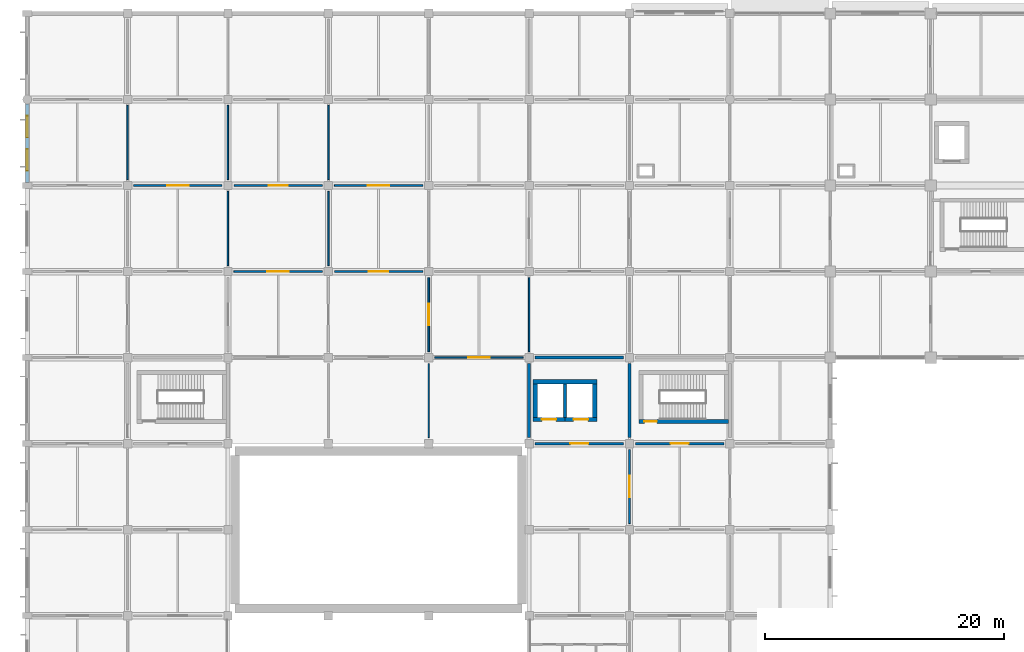
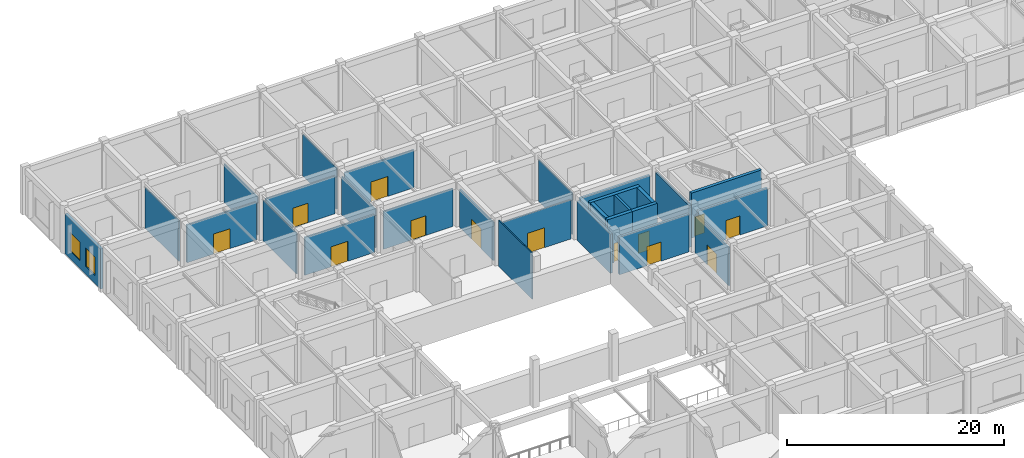
# One storey, part 21 of 41: 28 walls, 13 doors, 2 windows, 15 openings.
"""IFC4 building model written with IfcOpenShell, lengths in metres."""

from ifc_helpers import new_model, si_unit, derived_unit, direction, frame, frame_2d, origin, place, context, subcontext, project, spatial, rectangle, extrude, material, layer, layer_set, type_object, element, fill, save


model = new_model("IFC4")

# Units and contexts
model_context = context("Model", 3, precision=1e-05, world=origin(), true_north=direction((0.0, 1.0)))
body_context = subcontext(model_context, "Body", "Model", "MODEL_VIEW")
ifc_project = project(units=[si_unit("LENGTHUNIT", "METRE"), si_unit("AREAUNIT", "SQUARE_METRE"), si_unit("VOLUMEUNIT", "CUBIC_METRE"), si_unit("PLANEANGLEUNIT", "RADIAN"), si_unit("MASSUNIT", "GRAM", prefix="KILO"), derived_unit("THERMALTRANSMITTANCEUNIT", [(si_unit("MASSUNIT", "GRAM", prefix="KILO"), 1), (si_unit("TIMEUNIT", "SECOND"), -3), (si_unit("THERMODYNAMICTEMPERATUREUNIT", "KELVIN"), -1)])], contexts=[model_context])

# Site, building, storey
site_placement = place(None, origin())
site = spatial("IfcSite", under=ifc_project, at=site_placement, CompositionType="ELEMENT")
building_placement = place(site_placement, origin())
building = spatial("IfcBuilding", under=site, at=building_placement, Name="Veldstrom Oceanarium and Marine Research Institute", CompositionType="ELEMENT")
storey_placement = place(building_placement, frame((0.0, 0.0, 6.0)))
storey = spatial("IfcBuildingStorey", under=building, at=storey_placement, Name="L01", CompositionType="ELEMENT", Elevation=6.0)

# Wall, openings, windows
ifc_material_1 = material(Name="Masonry Cavity Wall", Category="masonry")
ifc_layer_1 = layer(ifc_material_1, 0.27001953125)
ifc_layer_set_1 = layer_set([ifc_layer_1], Name="ARC-WAL-EW3")
wall_type_1 = type_object("IfcWallType", Name="ARC-WAL-EW3", PredefinedType="SOLIDWALL", material=ifc_layer_set_1)
wall_1_placement = place(storey_placement, frame((0.0, 57.85009765625, 0.0), z_axis=(0.0, 0.0, 1.0), x_axis=(0.0, 1.0, 0.0)))
wall_1 = element("IfcWall", 1, at=wall_1_placement, inside=storey, type_object=wall_type_1, Name="Exterior Facade Wall EW3 L01-069", PredefinedType="SOLIDWALL", context=body_context, shape_type="SweptSolid", body=[
    extrude(rectangle(XDim=6.574951171875, YDim=0.27001953125, at=frame_2d((3.28759765625, 0.0))), origin(), (0.0, 0.0, 1.0), 4.52001953125),
])
opening_1_placement = place(wall_1_placement, frame((0.99169921875, 0.0, 0.89990234375)))
opening_1 = element("IfcOpeningElement", 2, at=opening_1_placement, cuts=wall_1, Name="Opening W10", PredefinedType="OPENING", context=body_context, shape_type="SweptSolid", body=[
    extrude(rectangle(XDim=1.800048828125, YDim=2.10009765625, at=frame_2d((0.89990234375, 1.050048828125))), frame((0.0, 0.14501953125, 0.0), z_axis=(0.0, -1.0, 0.0), x_axis=(1.0, 0.0, 0.0)), (0.0, 0.0, 1.0), 0.2900390625),
])
opening_2_placement = place(wall_1_placement, frame((3.783203125, 0.0, 0.89990234375)))
opening_2 = element("IfcOpeningElement", 3, at=opening_2_placement, cuts=wall_1, Name="Opening W10", PredefinedType="OPENING", context=body_context, shape_type="SweptSolid", body=[
    extrude(rectangle(XDim=1.800048828125, YDim=2.10009765625, at=frame_2d((0.89990234375, 1.050048828125))), frame((0.0, 0.14501953125, 0.0), z_axis=(0.0, -1.0, 0.0), x_axis=(1.0, 0.0, 0.0)), (0.0, 0.0, 1.0), 0.2900390625),
])
ifc_material_2 = material(Name="Double Glazed Low-E IGU", Category="glass")
window_type = type_object("IfcWindowType", Name="ARC-WIN-W10", PartitioningType="SINGLE_PANEL", PredefinedType="WINDOW", material=ifc_material_2)
window_1_placement = place(opening_1_placement, origin())
window_1 = element("IfcWindow", 4, at=window_1_placement, inside=storey, type_object=window_type, Name="Facade Window W10 L01-0041", OverallHeight=2.10009765625, OverallWidth=1.800048828125, PartitioningType="SINGLE_PANEL", PredefinedType="WINDOW", context=body_context, shape_type="SweptSolid", body=[
    extrude(rectangle(XDim=1.800048828125, YDim=2.10009765625, at=frame_2d((0.89990234375, 1.050048828125))), frame((0.0, 0.030029296875, 0.0), z_axis=(0.0, -1.0, 0.0), x_axis=(1.0, 0.0, 0.0)), (0.0, 0.0, 1.0), 0.06005859375),
])
fill(opening_1, window_1)
window_2_placement = place(opening_2_placement, origin())
window_2 = element("IfcWindow", 5, at=window_2_placement, inside=storey, type_object=window_type, Name="Facade Window W10 L01-0042", OverallHeight=2.10009765625, OverallWidth=1.800048828125, PartitioningType="SINGLE_PANEL", PredefinedType="WINDOW", context=body_context, shape_type="SweptSolid", body=[
    extrude(rectangle(XDim=1.800048828125, YDim=2.10009765625, at=frame_2d((0.89990234375, 1.050048828125))), frame((0.0, 0.030029296875, 0.0), z_axis=(0.0, -1.0, 0.0), x_axis=(1.0, 0.0, 0.0)), (0.0, 0.0, 1.0), 0.06005859375),
])
fill(opening_2, window_2)

# Wall
ifc_material_3 = material(Name="Masonry Fire Compartment Wall", Category="masonry")
ifc_layer_2 = layer(ifc_material_3, 0.22998046875)
ifc_layer_set_2 = layer_set([ifc_layer_2], Name="ARC-WAL-PT1")
wall_type_2 = type_object("IfcWallType", Name="ARC-WAL-PT1", PredefinedType="PARTITIONING", material=ifc_layer_set_2)
wall_2_placement = place(storey_placement, frame((42.0, 36.5, 0.0), z_axis=(0.0, 0.0, 1.0), x_axis=(0.0, 1.0, 0.0)))
element("IfcWall", 6, at=wall_2_placement, inside=storey, type_object=wall_type_2, Name="Interior Partition PT1 L01-0883", PredefinedType="PARTITIONING", context=body_context, shape_type="SweptSolid", body=[
    extrude(rectangle(XDim=6.199951171875, YDim=0.22998046875, at=frame_2d((3.10009765625, 0.0))), origin(), (0.0, 0.0, 1.0), 4.419921875),
])

# Wall, opening, door
wall_3_placement = place(storey_placement, frame((42.5, 36.0, 0.0), z_axis=(0.0, 0.0, 1.0), x_axis=(1.0, 0.0, 0.0)))
wall_3 = element("IfcWall", 7, at=wall_3_placement, inside=storey, type_object=wall_type_2, Name="Interior Partition PT1 L01-0901", PredefinedType="PARTITIONING", context=body_context, shape_type="SweptSolid", body=[
    extrude(rectangle(XDim=7.39990234375, YDim=0.22998046875, at=frame_2d((3.699951171875, 0.0))), origin(), (0.0, 0.0, 1.0), 4.27001953125),
])
opening_3_placement = place(wall_3_placement, frame((2.949951171875, 0.0, 0.0)))
opening_3 = element("IfcOpeningElement", 8, at=opening_3_placement, cuts=wall_3, Name="Opening D-L01-521", PredefinedType="OPENING", context=body_context, shape_type="SweptSolid", body=[
    extrude(rectangle(XDim=1.5, YDim=2.14990234375, at=frame_2d((0.75, 1.074951171875))), frame((0.0, 0.125, 0.0), z_axis=(0.0, -1.0, 0.0), x_axis=(1.0, 0.0, 0.0)), (0.0, 0.0, 1.0), 0.25),
])
ifc_material_4 = material(Name="Painted Steel Lobby Fire Door", Category="steel")
door_type_1 = type_object("IfcDoorType", Name="ARC-DOR-SD2", OperationType="DOUBLE_DOOR_SINGLE_SWING", PredefinedType="DOOR", material=ifc_material_4)
door_1_placement = place(opening_3_placement, frame((1.5, 0.0, 0.0), z_axis=(0.0, 0.0, 1.0), x_axis=(-1.0, 0.0, 0.0)))
door_1 = element("IfcDoor", 9, at=door_1_placement, inside=storey, type_object=door_type_1, Name="Interior Door D-L01-521", OperationType="DOUBLE_DOOR_SINGLE_SWING", OverallHeight=2.14990234375, OverallWidth=1.5, PredefinedType="DOOR", context=body_context, shape_type="SweptSolid", body=[
    extrude(rectangle(XDim=1.5, YDim=2.14990234375, at=frame_2d((0.75, 1.074951171875))), frame((0.0, 0.02490234375, 0.0), z_axis=(0.0, -1.0, 0.0), x_axis=(1.0, 0.0, 0.0)), (0.0, 0.0, 1.0), 0.050048828125),
])
fill(opening_3, door_1)

# Walls
wall_4_placement = place(storey_placement, frame((50.39990234375, 36.5, 0.0), z_axis=(0.0, 0.0, 1.0), x_axis=(0.0, 1.0, 0.0)))
element("IfcWall", 10, at=wall_4_placement, inside=storey, type_object=wall_type_2, Name="Interior Partition PT1 L01-0902", PredefinedType="PARTITIONING", context=body_context, shape_type="SweptSolid", body=[
    extrude(rectangle(XDim=6.199951171875, YDim=0.22998046875, at=frame_2d((3.10009765625, 0.0))), origin(), (0.0, 0.0, 1.0), 4.669921875),
])
wall_5_placement = place(storey_placement, frame((42.5, 43.199951171875, 0.0), z_axis=(0.0, 0.0, 1.0), x_axis=(1.0, 0.0, 0.0)))
element("IfcWall", 11, at=wall_5_placement, inside=storey, type_object=wall_type_2, Name="Interior Partition PT1 L01-0903", PredefinedType="PARTITIONING", context=body_context, shape_type="SweptSolid", body=[
    extrude(rectangle(XDim=7.39990234375, YDim=0.22998046875, at=frame_2d((3.699951171875, 0.0))), origin(), (0.0, 0.0, 1.0), 4.27001953125),
])

# Wall, opening, door
wall_6_placement = place(storey_placement, frame((50.89990234375, 36.0, 0.0), z_axis=(0.0, 0.0, 1.0), x_axis=(1.0, 0.0, 0.0)))
wall_6 = element("IfcWall", 12, at=wall_6_placement, inside=storey, type_object=wall_type_2, Name="Interior Partition PT1 L01-0920", PredefinedType="PARTITIONING", context=body_context, shape_type="SweptSolid", body=[
    extrude(rectangle(XDim=7.400146484375, YDim=0.22998046875, at=frame_2d((3.7001953125, 0.0))), origin(), (0.0, 0.0, 1.0), 4.27001953125),
])
opening_4_placement = place(wall_6_placement, frame((2.949951171875, 0.0, 0.0)))
opening_4 = element("IfcOpeningElement", 13, at=opening_4_placement, cuts=wall_6, Name="Opening D-L01-531", PredefinedType="OPENING", context=body_context, shape_type="SweptSolid", body=[
    extrude(rectangle(XDim=1.5, YDim=2.14990234375, at=frame_2d((0.75, 1.074951171875))), frame((0.0, 0.125, 0.0), z_axis=(0.0, -1.0, 0.0), x_axis=(1.0, 0.0, 0.0)), (0.0, 0.0, 1.0), 0.25),
])
door_2_placement = place(opening_4_placement, frame((1.5, 0.0, 0.0), z_axis=(0.0, 0.0, 1.0), x_axis=(-1.0, 0.0, 0.0)))
door_2 = element("IfcDoor", 14, at=door_2_placement, inside=storey, type_object=door_type_1, Name="Interior Door D-L01-531", OperationType="DOUBLE_DOOR_SINGLE_SWING", OverallHeight=2.14990234375, OverallWidth=1.5, PredefinedType="DOOR", context=body_context, shape_type="SweptSolid", body=[
    extrude(rectangle(XDim=1.5, YDim=2.14990234375, at=frame_2d((0.75, 1.074951171875))), frame((0.0, 0.02490234375, 0.0), z_axis=(0.0, -1.0, 0.0), x_axis=(1.0, 0.0, 0.0)), (0.0, 0.0, 1.0), 0.050048828125),
])
fill(opening_4, door_2)

ifc_material_5 = material(Name="Drywall Corridor Partition", Category="gypsum")
ifc_layer_3 = layer(ifc_material_5, 0.155029296875)
ifc_layer_set_3 = layer_set([ifc_layer_3], Name="ARC-WAL-PT4")
wall_type_3 = type_object("IfcWallType", Name="ARC-WAL-PT4", PredefinedType="PARTITIONING", material=ifc_layer_set_3)
wall_7_placement = place(storey_placement, frame((8.89990234375, 57.60009765625, 0.0), z_axis=(0.0, 0.0, 1.0), x_axis=(1.0, 0.0, 0.0)))
wall_7 = element("IfcWall", 15, at=wall_7_placement, inside=storey, type_object=wall_type_3, Name="Interior Partition PT4 L01-0852", PredefinedType="PARTITIONING", context=body_context, shape_type="SweptSolid", body=[
    extrude(rectangle(XDim=7.400146484375, YDim=0.155029296875, at=frame_2d((3.7001953125, 0.0))), origin(), (0.0, 0.0, 1.0), 4.27001953125),
])
opening_5_placement = place(wall_7_placement, frame((2.800048828125, 0.0, 0.0)))
opening_5 = element("IfcOpeningElement", 16, at=opening_5_placement, cuts=wall_7, Name="Opening D-L01-494", PredefinedType="OPENING", context=body_context, shape_type="SweptSolid", body=[
    extrude(rectangle(XDim=1.800048828125, YDim=2.25, at=frame_2d((0.89990234375, 1.125))), frame((0.0, 0.08740234375, 0.0), z_axis=(0.0, -1.0, 0.0), x_axis=(1.0, 0.0, 0.0)), (0.0, 0.0, 1.0), 0.175048828125),
])
ifc_material_6 = material(Name="Acoustic Timber Gallery Door", Category="wood")
door_type_2 = type_object("IfcDoorType", Name="ARC-DOR-ID01", OperationType="DOUBLE_DOOR_SINGLE_SWING", PredefinedType="DOOR", material=ifc_material_6)
door_3_placement = place(opening_5_placement, frame((1.800048828125, 0.0, 0.0), z_axis=(0.0, 0.0, 1.0), x_axis=(-1.0, 0.0, 0.0)))
door_3 = element("IfcDoor", 17, at=door_3_placement, inside=storey, type_object=door_type_2, Name="Interior Door D-L01-494", OperationType="DOUBLE_DOOR_SINGLE_SWING", OverallHeight=2.25, OverallWidth=1.800048828125, PredefinedType="DOOR", context=body_context, shape_type="SweptSolid", body=[
    extrude(rectangle(XDim=1.800048828125, YDim=2.25, at=frame_2d((0.89990234375, 1.125))), frame((0.0, 0.02490234375, 0.0), z_axis=(0.0, -1.0, 0.0), x_axis=(1.0, 0.0, 0.0)), (0.0, 0.0, 1.0), 0.050048828125),
])
fill(opening_5, door_3)

wall_8_placement = place(storey_placement, frame((17.300048828125, 50.39990234375, 0.0), z_axis=(0.0, 0.0, 1.0), x_axis=(1.0, 0.0, 0.0)))
wall_8 = element("IfcWall", 18, at=wall_8_placement, inside=storey, type_object=wall_type_3, Name="Interior Partition PT4 L01-0862", PredefinedType="PARTITIONING", context=body_context, shape_type="SweptSolid", body=[
    extrude(rectangle(XDim=7.39990234375, YDim=0.155029296875, at=frame_2d((3.699951171875, 0.0))), origin(), (0.0, 0.0, 1.0), 4.27001953125),
])
opening_6_placement = place(wall_8_placement, frame((2.800048828125, 0.0, 0.0)))
opening_6 = element("IfcOpeningElement", 19, at=opening_6_placement, cuts=wall_8, Name="Opening D-L01-500", PredefinedType="OPENING", context=body_context, shape_type="SweptSolid", body=[
    extrude(rectangle(XDim=1.800048828125, YDim=2.25, at=frame_2d((0.89990234375, 1.125))), frame((0.0, 0.08740234375, 0.0), z_axis=(0.0, -1.0, 0.0), x_axis=(1.0, 0.0, 0.0)), (0.0, 0.0, 1.0), 0.175048828125),
])
door_4_placement = place(opening_6_placement, frame((1.800048828125, 0.0, 0.0), z_axis=(0.0, 0.0, 1.0), x_axis=(-1.0, 0.0, 0.0)))
door_4 = element("IfcDoor", 20, at=door_4_placement, inside=storey, type_object=door_type_2, Name="Interior Door D-L01-500", OperationType="DOUBLE_DOOR_SINGLE_SWING", OverallHeight=2.25, OverallWidth=1.800048828125, PredefinedType="DOOR", context=body_context, shape_type="SweptSolid", body=[
    extrude(rectangle(XDim=1.800048828125, YDim=2.25, at=frame_2d((0.89990234375, 1.125))), frame((0.0, 0.02490234375, 0.0), z_axis=(0.0, -1.0, 0.0), x_axis=(1.0, 0.0, 0.0)), (0.0, 0.0, 1.0), 0.050048828125),
])
fill(opening_6, door_4)

wall_9_placement = place(storey_placement, frame((25.699951171875, 57.60009765625, 0.0), z_axis=(0.0, 0.0, 1.0), x_axis=(1.0, 0.0, 0.0)))
wall_9 = element("IfcWall", 21, at=wall_9_placement, inside=storey, type_object=wall_type_3, Name="Interior Partition PT4 L01-0876", PredefinedType="PARTITIONING", context=body_context, shape_type="SweptSolid", body=[
    extrude(rectangle(XDim=7.400146484375, YDim=0.155029296875, at=frame_2d((3.7001953125, 0.0))), origin(), (0.0, 0.0, 1.0), 4.27001953125),
])
opening_7_placement = place(wall_9_placement, frame((2.800048828125, 0.0, 0.0)))
opening_7 = element("IfcOpeningElement", 22, at=opening_7_placement, cuts=wall_9, Name="Opening D-L01-508", PredefinedType="OPENING", context=body_context, shape_type="SweptSolid", body=[
    extrude(rectangle(XDim=1.800048828125, YDim=2.25, at=frame_2d((0.89990234375, 1.125))), frame((0.0, 0.08740234375, 0.0), z_axis=(0.0, -1.0, 0.0), x_axis=(1.0, 0.0, 0.0)), (0.0, 0.0, 1.0), 0.175048828125),
])
door_5_placement = place(opening_7_placement, frame((1.800048828125, 0.0, 0.0), z_axis=(0.0, 0.0, 1.0), x_axis=(-1.0, 0.0, 0.0)))
door_5 = element("IfcDoor", 23, at=door_5_placement, inside=storey, type_object=door_type_2, Name="Interior Door D-L01-508", OperationType="DOUBLE_DOOR_SINGLE_SWING", OverallHeight=2.25, OverallWidth=1.800048828125, PredefinedType="DOOR", context=body_context, shape_type="SweptSolid", body=[
    extrude(rectangle(XDim=1.800048828125, YDim=2.25, at=frame_2d((0.89990234375, 1.125))), frame((0.0, 0.02490234375, 0.0), z_axis=(0.0, -1.0, 0.0), x_axis=(1.0, 0.0, 0.0)), (0.0, 0.0, 1.0), 0.050048828125),
])
fill(opening_7, door_5)

ifc_material_7 = material(Name="Moisture-Resistant Wet-Area Partition", Category="masonry")
ifc_layer_4 = layer(ifc_material_7, 0.139892578125)
ifc_layer_set_4 = layer_set([ifc_layer_4], Name="ARC-WAL-PT5")
wall_type_4 = type_object("IfcWallType", Name="ARC-WAL-PT5", PredefinedType="PARTITIONING", material=ifc_layer_set_4)
wall_10_placement = place(storey_placement, frame((17.300048828125, 57.60009765625, 0.0), z_axis=(0.0, 0.0, 1.0), x_axis=(1.0, 0.0, 0.0)))
wall_10 = element("IfcWall", 24, at=wall_10_placement, inside=storey, type_object=wall_type_4, Name="Interior Partition PT5 L01-0864", PredefinedType="PARTITIONING", context=body_context, shape_type="SweptSolid", body=[
    extrude(rectangle(XDim=7.39990234375, YDim=0.139892578125, at=frame_2d((3.699951171875, 0.0))), origin(), (0.0, 0.0, 1.0), 4.27001953125),
])
opening_8_placement = place(wall_10_placement, frame((2.89990234375, 0.0, 0.0)))
opening_8 = element("IfcOpeningElement", 25, at=opening_8_placement, cuts=wall_10, Name="Opening D-L01-501", PredefinedType="OPENING", context=body_context, shape_type="SweptSolid", body=[
    extrude(rectangle(XDim=1.60009765625, YDim=2.199951171875, at=frame_2d((0.800048828125, 1.10009765625))), frame((0.0, 0.079833984375, 0.0), z_axis=(0.0, -1.0, 0.0), x_axis=(1.0, 0.0, 0.0)), (0.0, 0.0, 1.0), 0.159912109375),
])
ifc_material_8 = material(Name="Acoustic Timber Corridor Door", Category="wood")
door_type_3 = type_object("IfcDoorType", Name="ARC-DOR-ID02", OperationType="DOUBLE_DOOR_SINGLE_SWING", PredefinedType="DOOR", material=ifc_material_8)
door_6_placement = place(opening_8_placement, origin())
door_6 = element("IfcDoor", 26, at=door_6_placement, inside=storey, type_object=door_type_3, Name="Interior Door D-L01-501", OperationType="DOUBLE_DOOR_SINGLE_SWING", OverallHeight=2.199951171875, OverallWidth=1.60009765625, PredefinedType="DOOR", context=body_context, shape_type="SweptSolid", body=[
    extrude(rectangle(XDim=1.60009765625, YDim=2.199951171875, at=frame_2d((0.800048828125, 1.10009765625))), frame((0.0, 0.02490234375, 0.0), z_axis=(0.0, -1.0, 0.0), x_axis=(1.0, 0.0, 0.0)), (0.0, 0.0, 1.0), 0.050048828125),
])
fill(opening_8, door_6)

wall_11_placement = place(storey_placement, frame((33.60009765625, 43.699951171875, 0.0), z_axis=(0.0, 0.0, 1.0), x_axis=(0.0, 1.0, 0.0)))
wall_11 = element("IfcWall", 27, at=wall_11_placement, inside=storey, type_object=wall_type_4, Name="Interior Partition PT5 L01-0873", PredefinedType="PARTITIONING", context=body_context, shape_type="SweptSolid", body=[
    extrude(rectangle(XDim=6.199951171875, YDim=0.139892578125, at=frame_2d((3.10009765625, 0.0))), origin(), (0.0, 0.0, 1.0), 4.320068359375),
])
opening_9_placement = place(wall_11_placement, frame((2.199951171875, 0.0, 0.0)))
opening_9 = element("IfcOpeningElement", 28, at=opening_9_placement, cuts=wall_11, Name="Opening D-L01-506", PredefinedType="OPENING", context=body_context, shape_type="SweptSolid", body=[
    extrude(rectangle(XDim=1.800048828125, YDim=2.25, at=frame_2d((0.89990234375, 1.125))), frame((0.0, 0.079833984375, 0.0), z_axis=(0.0, -1.0, 0.0), x_axis=(1.0, 0.0, 0.0)), (0.0, 0.0, 1.0), 0.159912109375),
])
door_7_placement = place(opening_9_placement, frame((1.800048828125, 0.0, 0.0), z_axis=(0.0, 0.0, 1.0), x_axis=(-1.0, 0.0, 0.0)))
door_7 = element("IfcDoor", 29, at=door_7_placement, inside=storey, type_object=door_type_2, Name="Interior Door D-L01-506", OperationType="DOUBLE_DOOR_SINGLE_SWING", OverallHeight=2.25, OverallWidth=1.800048828125, PredefinedType="DOOR", context=body_context, shape_type="SweptSolid", body=[
    extrude(rectangle(XDim=1.800048828125, YDim=2.25, at=frame_2d((0.89990234375, 1.125))), frame((0.0, 0.02490234375, 0.0), z_axis=(0.0, -1.0, 0.0), x_axis=(1.0, 0.0, 0.0)), (0.0, 0.0, 1.0), 0.050048828125),
])
fill(opening_9, door_7)

wall_12_placement = place(storey_placement, frame((25.699951171875, 50.39990234375, 0.0), z_axis=(0.0, 0.0, 1.0), x_axis=(1.0, 0.0, 0.0)))
wall_12 = element("IfcWall", 30, at=wall_12_placement, inside=storey, type_object=wall_type_4, Name="Interior Partition PT5 L01-0874", PredefinedType="PARTITIONING", context=body_context, shape_type="SweptSolid", body=[
    extrude(rectangle(XDim=7.400146484375, YDim=0.139892578125, at=frame_2d((3.7001953125, 0.0))), origin(), (0.0, 0.0, 1.0), 4.27001953125),
])
opening_10_placement = place(wall_12_placement, frame((2.89990234375, 0.0, 0.0)))
opening_10 = element("IfcOpeningElement", 31, at=opening_10_placement, cuts=wall_12, Name="Opening D-L01-507", PredefinedType="OPENING", context=body_context, shape_type="SweptSolid", body=[
    extrude(rectangle(XDim=1.60009765625, YDim=2.199951171875, at=frame_2d((0.800048828125, 1.10009765625))), frame((0.0, 0.079833984375, 0.0), z_axis=(0.0, -1.0, 0.0), x_axis=(1.0, 0.0, 0.0)), (0.0, 0.0, 1.0), 0.159912109375),
])
door_8_placement = place(opening_10_placement, origin())
door_8 = element("IfcDoor", 32, at=door_8_placement, inside=storey, type_object=door_type_3, Name="Interior Door D-L01-507", OperationType="DOUBLE_DOOR_SINGLE_SWING", OverallHeight=2.199951171875, OverallWidth=1.60009765625, PredefinedType="DOOR", context=body_context, shape_type="SweptSolid", body=[
    extrude(rectangle(XDim=1.60009765625, YDim=2.199951171875, at=frame_2d((0.800048828125, 1.10009765625))), frame((0.0, 0.02490234375, 0.0), z_axis=(0.0, -1.0, 0.0), x_axis=(1.0, 0.0, 0.0)), (0.0, 0.0, 1.0), 0.050048828125),
])
fill(opening_10, door_8)

wall_13_placement = place(storey_placement, frame((34.10009765625, 43.199951171875, 0.0), z_axis=(0.0, 0.0, 1.0), x_axis=(1.0, 0.0, 0.0)))
wall_13 = element("IfcWall", 33, at=wall_13_placement, inside=storey, type_object=wall_type_4, Name="Interior Partition PT5 L01-0884", PredefinedType="PARTITIONING", context=body_context, shape_type="SweptSolid", body=[
    extrude(rectangle(XDim=7.39990234375, YDim=0.139892578125, at=frame_2d((3.699951171875, 0.0))), origin(), (0.0, 0.0, 1.0), 4.419921875),
])
opening_11_placement = place(wall_13_placement, frame((2.800048828125, 0.0, 0.0)))
opening_11 = element("IfcOpeningElement", 34, at=opening_11_placement, cuts=wall_13, Name="Opening D-L01-512", PredefinedType="OPENING", context=body_context, shape_type="SweptSolid", body=[
    extrude(rectangle(XDim=1.800048828125, YDim=2.25, at=frame_2d((0.89990234375, 1.125))), frame((0.0, 0.079833984375, 0.0), z_axis=(0.0, -1.0, 0.0), x_axis=(1.0, 0.0, 0.0)), (0.0, 0.0, 1.0), 0.159912109375),
])
door_9_placement = place(opening_11_placement, origin())
door_9 = element("IfcDoor", 35, at=door_9_placement, inside=storey, type_object=door_type_2, Name="Interior Door D-L01-512", OperationType="DOUBLE_DOOR_SINGLE_SWING", OverallHeight=2.25, OverallWidth=1.800048828125, PredefinedType="DOOR", context=body_context, shape_type="SweptSolid", body=[
    extrude(rectangle(XDim=1.800048828125, YDim=2.25, at=frame_2d((0.89990234375, 1.125))), frame((0.0, 0.02490234375, 0.0), z_axis=(0.0, -1.0, 0.0), x_axis=(1.0, 0.0, 0.0)), (0.0, 0.0, 1.0), 0.050048828125),
])
fill(opening_11, door_9)

wall_14_placement = place(storey_placement, frame((50.39990234375, 29.300048828125, 0.0), z_axis=(0.0, 0.0, 1.0), x_axis=(0.0, 1.0, 0.0)))
wall_14 = element("IfcWall", 36, at=wall_14_placement, inside=storey, type_object=wall_type_4, Name="Interior Partition PT5 L01-0900", PredefinedType="PARTITIONING", context=body_context, shape_type="SweptSolid", body=[
    extrude(rectangle(XDim=6.199951171875, YDim=0.139892578125, at=frame_2d((3.10009765625, 0.0))), origin(), (0.0, 0.0, 1.0), 4.320068359375),
])
opening_12_placement = place(wall_14_placement, frame((2.199951171875, 0.0, 0.0)))
opening_12 = element("IfcOpeningElement", 37, at=opening_12_placement, cuts=wall_14, Name="Opening D-L01-520", PredefinedType="OPENING", context=body_context, shape_type="SweptSolid", body=[
    extrude(rectangle(XDim=1.800048828125, YDim=2.25, at=frame_2d((0.89990234375, 1.125))), frame((0.0, 0.079833984375, 0.0), z_axis=(0.0, -1.0, 0.0), x_axis=(1.0, 0.0, 0.0)), (0.0, 0.0, 1.0), 0.159912109375),
])
door_10_placement = place(opening_12_placement, frame((1.800048828125, 0.0, 0.0), z_axis=(0.0, 0.0, 1.0), x_axis=(-1.0, 0.0, 0.0)))
door_10 = element("IfcDoor", 38, at=door_10_placement, inside=storey, type_object=door_type_2, Name="Interior Door D-L01-520", OperationType="DOUBLE_DOOR_SINGLE_SWING", OverallHeight=2.25, OverallWidth=1.800048828125, PredefinedType="DOOR", context=body_context, shape_type="SweptSolid", body=[
    extrude(rectangle(XDim=1.800048828125, YDim=2.25, at=frame_2d((0.89990234375, 1.125))), frame((0.0, 0.02490234375, 0.0), z_axis=(0.0, -1.0, 0.0), x_axis=(1.0, 0.0, 0.0)), (0.0, 0.0, 1.0), 0.050048828125),
])
fill(opening_12, door_10)

# Walls
ifc_material_9 = material(Name="Lightweight Studio Partition", Category="gypsum")
ifc_layer_5 = layer(ifc_material_9, 0.1201171875)
ifc_layer_set_5 = layer_set([ifc_layer_5], Name="ARC-WAL-PT6")
wall_type_5 = type_object("IfcWallType", Name="ARC-WAL-PT6", PredefinedType="PARTITIONING", material=ifc_layer_set_5)
wall_15_placement = place(storey_placement, frame((8.39990234375, 58.10009765625, 0.0), z_axis=(0.0, 0.0, 1.0), x_axis=(0.0, 1.0, 0.0)))
element("IfcWall", 39, at=wall_15_placement, inside=storey, type_object=wall_type_5, Name="Interior Partition PT6 L01-0841", PredefinedType="PARTITIONING", context=body_context, shape_type="SweptSolid", body=[
    extrude(rectangle(XDim=6.199951171875, YDim=0.1201171875, at=frame_2d((3.10009765625, 0.0))), origin(), (0.0, 0.0, 1.0), 4.570068359375),
])
wall_16_placement = place(storey_placement, frame((16.800048828125, 50.89990234375, 0.0), z_axis=(0.0, 0.0, 1.0), x_axis=(0.0, 1.0, 0.0)))
element("IfcWall", 40, at=wall_16_placement, inside=storey, type_object=wall_type_5, Name="Interior Partition PT6 L01-0851", PredefinedType="PARTITIONING", context=body_context, shape_type="SweptSolid", body=[
    extrude(rectangle(XDim=6.2001953125, YDim=0.1201171875, at=frame_2d((3.10009765625, 0.0))), origin(), (0.0, 0.0, 1.0), 4.570068359375),
])
wall_17_placement = place(storey_placement, frame((16.800048828125, 58.10009765625, 0.0), z_axis=(0.0, 0.0, 1.0), x_axis=(0.0, 1.0, 0.0)))
element("IfcWall", 41, at=wall_17_placement, inside=storey, type_object=wall_type_5, Name="Interior Partition PT6 L01-0853", PredefinedType="PARTITIONING", context=body_context, shape_type="SweptSolid", body=[
    extrude(rectangle(XDim=6.199951171875, YDim=0.1201171875, at=frame_2d((3.10009765625, 0.0))), origin(), (0.0, 0.0, 1.0), 4.320068359375),
])
wall_18_placement = place(storey_placement, frame((25.199951171875, 50.89990234375, 0.0), z_axis=(0.0, 0.0, 1.0), x_axis=(0.0, 1.0, 0.0)))
element("IfcWall", 42, at=wall_18_placement, inside=storey, type_object=wall_type_5, Name="Interior Partition PT6 L01-0863", PredefinedType="PARTITIONING", context=body_context, shape_type="SweptSolid", body=[
    extrude(rectangle(XDim=6.2001953125, YDim=0.1201171875, at=frame_2d((3.10009765625, 0.0))), origin(), (0.0, 0.0, 1.0), 4.320068359375),
])
wall_19_placement = place(storey_placement, frame((25.199951171875, 58.10009765625, 0.0), z_axis=(0.0, 0.0, 1.0), x_axis=(0.0, 1.0, 0.0)))
element("IfcWall", 43, at=wall_19_placement, inside=storey, type_object=wall_type_5, Name="Interior Partition PT6 L01-0865", PredefinedType="PARTITIONING", context=body_context, shape_type="SweptSolid", body=[
    extrude(rectangle(XDim=6.199951171875, YDim=0.1201171875, at=frame_2d((3.10009765625, 0.0))), origin(), (0.0, 0.0, 1.0), 4.669921875),
])
wall_20_placement = place(storey_placement, frame((33.60009765625, 36.5, 0.0), z_axis=(0.0, 0.0, 1.0), x_axis=(0.0, 1.0, 0.0)))
element("IfcWall", 44, at=wall_20_placement, inside=storey, type_object=wall_type_5, Name="Interior Partition PT6 L01-0871", PredefinedType="PARTITIONING", context=body_context, shape_type="SweptSolid", body=[
    extrude(rectangle(XDim=6.199951171875, YDim=0.1201171875, at=frame_2d((3.10009765625, 0.0))), origin(), (0.0, 0.0, 1.0), 5.175048828125),
])
wall_21_placement = place(storey_placement, frame((42.0, 43.699951171875, 0.0), z_axis=(0.0, 0.0, 1.0), x_axis=(0.0, 1.0, 0.0)))
element("IfcWall", 45, at=wall_21_placement, inside=storey, type_object=wall_type_5, Name="Interior Partition PT6 L01-0885", PredefinedType="PARTITIONING", context=body_context, shape_type="SweptSolid", body=[
    extrude(rectangle(XDim=6.199951171875, YDim=0.1201171875, at=frame_2d((3.10009765625, 0.0))), origin(), (0.0, 0.0, 1.0), 4.669921875),
])
ifc_material_10 = material(Name="Concrete C40/50", Category="concrete")
ifc_layer_6 = layer(ifc_material_10, 0.360107421875)
ifc_layer_set_6 = layer_set([ifc_layer_6], Name="STR-WAL-WC2")
wall_type_6 = type_object("IfcWallType", Name="STR-WAL-WC2", PredefinedType="SHEAR", material=ifc_layer_set_6)
wall_22_placement = place(storey_placement, frame((42.340087890625, 41.179931640625, 0.0), z_axis=(0.0, 0.0, 1.0), x_axis=(1.0, 0.0, 0.0)))
element("IfcWall", 46, at=wall_22_placement, inside=storey, type_object=wall_type_6, Name="Lift Shaft Shear Wall N L01 5/5", PredefinedType="SHEAR", context=body_context, shape_type="SweptSolid", body=[
    extrude(rectangle(XDim=5.31982421875, YDim=0.360107421875, at=frame_2d((2.659912109375, 0.0))), origin(), (0.0, 0.0, 1.0), 5.074951171875),
])

# Wall, opening, door
wall_23_placement = place(storey_placement, frame((42.340087890625, 38.02001953125, 0.0), z_axis=(0.0, 0.0, 1.0), x_axis=(1.0, 0.0, 0.0)))
wall_23 = element("IfcWall", 47, at=wall_23_placement, inside=storey, type_object=wall_type_6, Name="Lift Shaft Front Shear Wall LP4 L01", PredefinedType="SHEAR", context=body_context, shape_type="SweptSolid", body=[
    extrude(rectangle(XDim=2.659912109375, YDim=0.360107421875, at=frame_2d((1.330078125, 0.0))), origin(), (0.0, 0.0, 1.0), 5.074951171875),
])
opening_13_placement = place(wall_23_placement, frame((0.72998046875, 0.0, 0.0)))
opening_13 = element("IfcOpeningElement", 48, at=opening_13_placement, cuts=wall_23, Name="Opening LD-LP4-L01", PredefinedType="OPENING", context=body_context, shape_type="SweptSolid", body=[
    extrude(rectangle(XDim=1.199951171875, YDim=2.14990234375, at=frame_2d((0.60009765625, 1.074951171875))), frame((0.0, 0.18994140625, 0.0), z_axis=(0.0, -1.0, 0.0), x_axis=(1.0, 0.0, 0.0)), (0.0, 0.0, 1.0), 0.380126953125),
])
ifc_material_11 = material(Name="Stainless Steel Lift Landing Door", Category="steel")
door_type_4 = type_object("IfcDoorType", Name="ARC-DOR-LD2", OperationType="DOUBLE_DOOR_SLIDING", PredefinedType="DOOR", material=ifc_material_11)
door_11_placement = place(opening_13_placement, origin())
door_11 = element("IfcDoor", 49, at=door_11_placement, inside=storey, type_object=door_type_4, Name="Lift Landing Door LD-LP4-L01", OperationType="DOUBLE_DOOR_SLIDING", OverallHeight=2.14990234375, OverallWidth=1.199951171875, PredefinedType="DOOR", context=body_context, shape_type="SweptSolid", body=[
    extrude(rectangle(XDim=1.199951171875, YDim=2.14990234375, at=frame_2d((0.60009765625, 1.074951171875))), frame((0.0, 0.02490234375, 0.0), z_axis=(0.0, -1.0, 0.0), x_axis=(1.0, 0.0, 0.0)), (0.0, 0.0, 1.0), 0.050048828125),
])
fill(opening_13, door_11)

wall_24_placement = place(storey_placement, frame((45.0, 38.02001953125, 0.0), z_axis=(0.0, 0.0, 1.0), x_axis=(1.0, 0.0, 0.0)))
wall_24 = element("IfcWall", 50, at=wall_24_placement, inside=storey, type_object=wall_type_6, Name="Lift Shaft Front Shear Wall LP5 L01", PredefinedType="SHEAR", context=body_context, shape_type="SweptSolid", body=[
    extrude(rectangle(XDim=2.659912109375, YDim=0.360107421875, at=frame_2d((1.330078125, 0.0))), origin(), (0.0, 0.0, 1.0), 5.074951171875),
])
opening_14_placement = place(wall_24_placement, frame((0.72998046875, 0.0, 0.0)))
opening_14 = element("IfcOpeningElement", 51, at=opening_14_placement, cuts=wall_24, Name="Opening LD-LP5-L01", PredefinedType="OPENING", context=body_context, shape_type="SweptSolid", body=[
    extrude(rectangle(XDim=1.199951171875, YDim=2.14990234375, at=frame_2d((0.60009765625, 1.074951171875))), frame((0.0, 0.18994140625, 0.0), z_axis=(0.0, -1.0, 0.0), x_axis=(1.0, 0.0, 0.0)), (0.0, 0.0, 1.0), 0.380126953125),
])
door_12_placement = place(opening_14_placement, origin())
door_12 = element("IfcDoor", 52, at=door_12_placement, inside=storey, type_object=door_type_4, Name="Lift Landing Door LD-LP5-L01", OperationType="DOUBLE_DOOR_SLIDING", OverallHeight=2.14990234375, OverallWidth=1.199951171875, PredefinedType="DOOR", context=body_context, shape_type="SweptSolid", body=[
    extrude(rectangle(XDim=1.199951171875, YDim=2.14990234375, at=frame_2d((0.60009765625, 1.074951171875))), frame((0.0, 0.02490234375, 0.0), z_axis=(0.0, -1.0, 0.0), x_axis=(1.0, 0.0, 0.0)), (0.0, 0.0, 1.0), 0.050048828125),
])
fill(opening_14, door_12)

# Walls
for number, where, z_axis, x_axis, name in (
    (53, (42.52001953125, 38.199951171875, 0.0), (0.0, 0.0, 1.0), (0.0, 1.0, 0.0), "Lift Shaft Shear Wall W L01 5/5"),
    (54, (47.47998046875, 38.199951171875, 0.0), (0.0, 0.0, 1.0), (0.0, 1.0, 0.0), "Lift Shaft Shear Wall E L01 5/5"),
):
    element("IfcWall", number, at=place(storey_placement, frame(where, z_axis=z_axis, x_axis=x_axis)), inside=storey, type_object=wall_type_6, Name=name, PredefinedType="SHEAR", context=body_context, shape_type="SweptSolid", body=[
        extrude(rectangle(XDim=2.800048828125, YDim=0.360107421875, at=frame_2d((1.39990234375, 0.0))), origin(), (0.0, 0.0, 1.0), 5.074951171875),
    ])

# Wall, opening, door
ifc_material_12 = material(Name="Concrete C40/50", Category="concrete")
ifc_layer_7 = layer(ifc_material_12, 0.320068359375)
ifc_layer_set_7 = layer_set([ifc_layer_7], Name="STR-WAL-WC3")
wall_type_7 = type_object("IfcWallType", Name="STR-WAL-WC3", PredefinedType="SHEAR", material=ifc_layer_set_7)
wall_25_placement = place(storey_placement, frame((51.199951171875, 37.840087890625, 0.0), z_axis=(0.0, 0.0, 1.0), x_axis=(1.0, 0.0, 0.0)))
wall_25 = element("IfcWall", 55, at=wall_25_placement, inside=storey, type_object=wall_type_7, Name="Stair Core Shear Wall SC5-L01-S", PredefinedType="SHEAR", context=body_context, shape_type="SweptSolid", body=[
    extrude(rectangle(XDim=7.47998046875, YDim=0.320068359375, at=frame_2d((3.739990234375, 0.0))), origin(), (0.0, 0.0, 1.0), 5.074951171875),
])
opening_15_placement = place(wall_25_placement, frame((0.449951171875, 0.0, 0.0)))
opening_15 = element("IfcOpeningElement", 56, at=opening_15_placement, cuts=wall_25, Name="Opening D-ST5-L01", PredefinedType="OPENING", context=body_context, shape_type="SweptSolid", body=[
    extrude(rectangle(XDim=1.050048828125, YDim=2.14990234375, at=frame_2d((0.52490234375, 1.074951171875))), frame((0.0, 0.169921875, 0.0), z_axis=(0.0, -1.0, 0.0), x_axis=(1.0, 0.0, 0.0)), (0.0, 0.0, 1.0), 0.340087890625),
])
ifc_material_13 = material(Name="Painted Steel Fire Door", Category="steel")
door_type_5 = type_object("IfcDoorType", Name="ARC-DOR-SD1", OperationType="SINGLE_SWING_LEFT", PredefinedType="DOOR", material=ifc_material_13)
door_13_placement = place(opening_15_placement, origin())
door_13 = element("IfcDoor", 57, at=door_13_placement, inside=storey, type_object=door_type_5, Name="Escape Stair Fire Door D-ST5-L01", OperationType="SINGLE_SWING_LEFT", OverallHeight=2.14990234375, OverallWidth=1.050048828125, PredefinedType="DOOR", context=body_context, shape_type="SweptSolid", body=[
    extrude(rectangle(XDim=1.050048828125, YDim=2.14990234375, at=frame_2d((0.52490234375, 1.074951171875))), frame((0.0, 0.02490234375, 0.0), z_axis=(0.0, -1.0, 0.0), x_axis=(1.0, 0.0, 0.0)), (0.0, 0.0, 1.0), 0.050048828125),
])
fill(opening_15, door_13)

# Wall
ifc_material_14 = material(Name="Concrete C40/50", Category="concrete")
ifc_layer_8 = layer(ifc_material_14, 0.239990234375)
ifc_layer_set_8 = layer_set([ifc_layer_8], Name="STR-WAL-WC4")
wall_type_8 = type_object("IfcWallType", Name="STR-WAL-WC4", PredefinedType="SHEAR", material=ifc_layer_set_8)
wall_26_placement = place(storey_placement, frame((45.0, 38.199951171875, 0.0), z_axis=(0.0, 0.0, 1.0), x_axis=(0.0, 1.0, 0.0)))
element("IfcWall", 58, at=wall_26_placement, inside=storey, type_object=wall_type_8, Name="Lift Shaft Divider Wall L01 5/5-1", PredefinedType="SHEAR", context=body_context, shape_type="SweptSolid", body=[
    extrude(rectangle(XDim=2.800048828125, YDim=0.239990234375, at=frame_2d((1.39990234375, 0.0))), origin(), (0.0, 0.0, 1.0), 5.074951171875),
])

save(model, "model.ifc")
